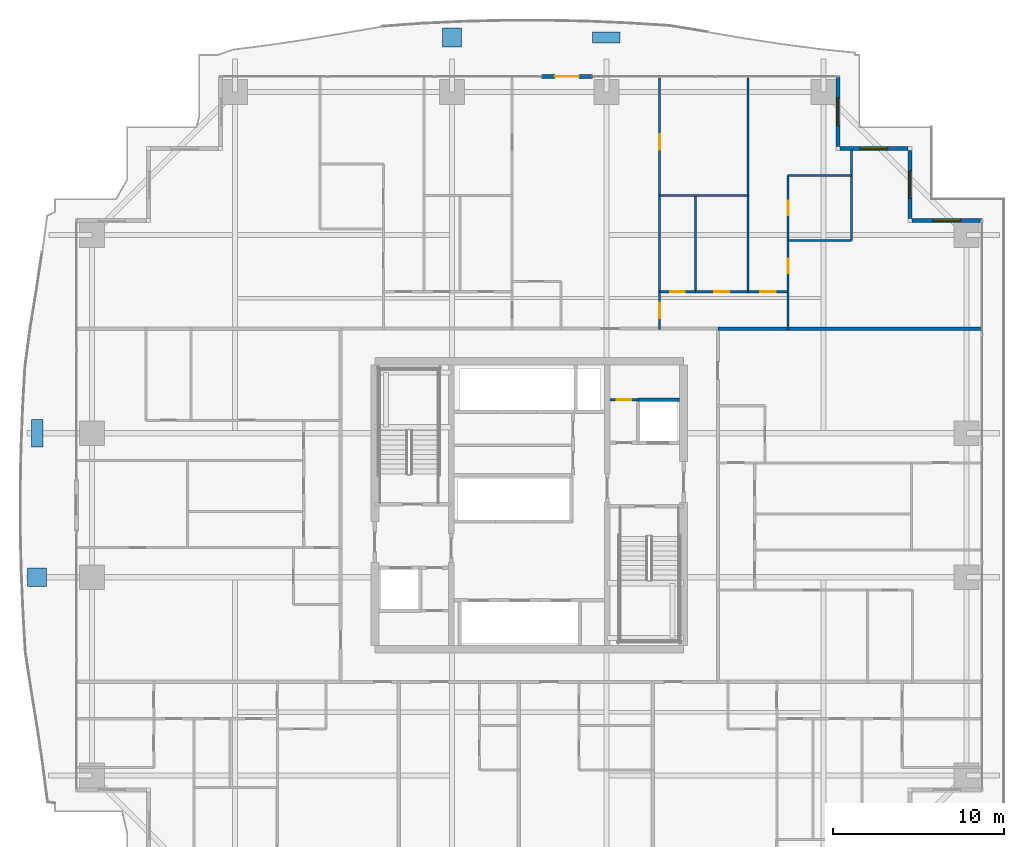
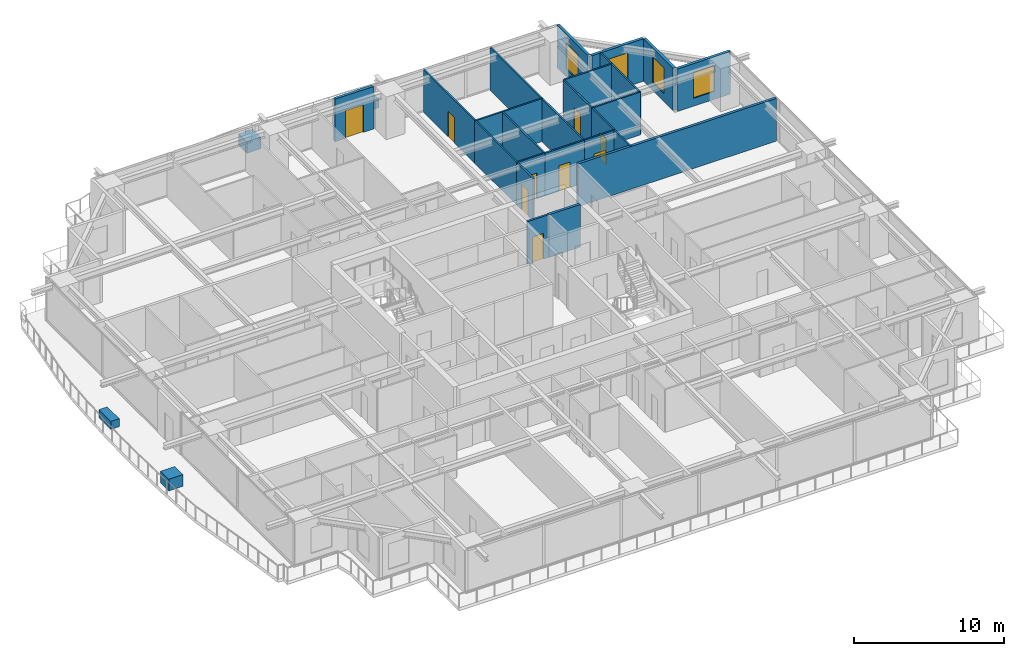
# One storey, part 28 of 35: 23 walls, 9 doors, 4 discrete accessories, 4 windows, 13 openings.
"""IFC4 building model written with IfcOpenShell, lengths in metres."""

from ifc_helpers import new_model, si_unit, direction, frame, frame_2d, origin, origin_2d, place, context, subcontext, project, spatial, rectangle, extrude, source, transform, mapped, material, layer, layer_set, type_object, element, fill, save


model = new_model("IFC4")

# Units and contexts
model_context = context("Model", 3, precision=1e-05, world=origin(), true_north=direction((0.0, 1.0)))
body_context = subcontext(model_context, "Body", "Model", "MODEL_VIEW")
ifc_project = project(units=[si_unit("LENGTHUNIT", "METRE"), si_unit("AREAUNIT", "SQUARE_METRE"), si_unit("VOLUMEUNIT", "CUBIC_METRE"), si_unit("PLANEANGLEUNIT", "RADIAN"), si_unit("MASSUNIT", "GRAM", prefix="KILO")], contexts=[model_context])

# Site, building, storey
site_placement = place(None, origin())
site = spatial("IfcSite", under=ifc_project, at=site_placement, CompositionType="ELEMENT")
building_placement = place(site_placement, origin())
building = spatial("IfcBuilding", under=site, at=building_placement, Name="Serunith Strait Residences", CompositionType="ELEMENT")
storey_placement = place(building_placement, frame((0.0, 0.0, 56.699951171875)))
storey = spatial("IfcBuildingStorey", under=building, at=storey_placement, Name="L13", CompositionType="ELEMENT", Elevation=56.699951171875)

# Wall, opening, window
ifc_material_1 = material(Name="Pale-Champagne Aluminium Insulated Panel", Category="aluminium")
ifc_layer_1 = layer(ifc_material_1, 0.219970703125, Name="Pale-Champagne Aluminium Insulated Panel")
ifc_layer_set_1 = layer_set([ifc_layer_1], Name="Pale-Champagne Aluminium Insulated Panel")
wall_type_1 = type_object("IfcWallType", Name="EW-ALUM-220", PredefinedType="ELEMENTEDWALL", material=ifc_layer_set_1)
wall_1_placement = place(storey_placement, frame((58.800048828125, 41.800048828125, 0.0), z_axis=(0.0, 0.0, 1.0), x_axis=(-1.0, 0.0, 0.0)))
wall_1 = element("IfcWall", 1, at=wall_1_placement, inside=storey, type_object=wall_type_1, Name="L13 Girih Serrated Corner Wall 07", PredefinedType="ELEMENTEDWALL", context=body_context, shape_type="SweptSolid", body=[
    extrude(rectangle(XDim=4.090087890625, YDim=0.219970703125, at=frame_2d((2.044921875, 0.0))), origin(), (0.0, 0.0, 1.0), 3.47509765625),
])
opening_1_placement = place(wall_1_placement, frame((1.2451171875, 0.0, 0.64990234375)))
opening_1 = element("IfcOpeningElement", 2, at=opening_1_placement, cuts=wall_1, Name="Opening W-02", PredefinedType="OPENING", context=body_context, shape_type="SweptSolid", body=[
    extrude(rectangle(XDim=1.60009765625, YDim=2.10009765625, at=frame_2d((0.800048828125, 1.050048828125))), frame((0.0, 0.1201171875, 0.0), z_axis=(0.0, -1.0, 0.0), x_axis=(1.0, 0.0, 0.0)), (0.0, 0.0, 1.0), 0.239990234375),
])
ifc_material_2 = material(Name="Ceramic-Fritted Operable Aluminium Window Glass", Category="aluminium")
window_type = type_object("IfcWindowType", Name="WIN-C2", PartitioningType="DOUBLE_PANEL_VERTICAL", PredefinedType="WINDOW", material=ifc_material_2)
shared_shape_1 = source(origin(), body_context, "Body", "SweptSolid", [
    extrude(rectangle(XDim=1.60009765625, YDim=2.10009765625, at=frame_2d((0.800048828125, 1.050048828125))), frame((0.0, 0.030029296875, 0.0), z_axis=(0.0, -1.0, 0.0), x_axis=(1.0, 0.0, 0.0)), (0.0, 0.0, 1.0), 0.06005859375),
])
window_1_placement = place(opening_1_placement, origin())
window_1 = element("IfcWindow", 3, at=window_1_placement, inside=storey, type_object=window_type, Name="L13 Corner Operable Fritted Window 07", OverallHeight=2.10009765625, OverallWidth=1.60009765625, PartitioningType="SINGLE_PANEL", PredefinedType="WINDOW", context=body_context, shape_type="MappedRepresentation", body=[
    mapped(shared_shape_1, transform((0.0, 0.0, 0.0), scale=1.0)),
])
fill(opening_1, window_1)

wall_2_placement = place(storey_placement, frame((54.60009765625, 41.909912109375, 0.0), z_axis=(0.0, 0.0, 1.0), x_axis=(0.0, 1.0, 0.0)))
wall_2 = element("IfcWall", 4, at=wall_2_placement, inside=storey, type_object=wall_type_1, Name="L13 Girih Serrated Corner Wall 08", PredefinedType="ELEMENTEDWALL", context=body_context, shape_type="SweptSolid", body=[
    extrude(rectangle(XDim=3.97998046875, YDim=0.219970703125, at=frame_2d((1.989990234375, 0.0))), origin(), (0.0, 0.0, 1.0), 3.47509765625),
])
opening_2_placement = place(wall_2_placement, frame((1.18994140625, 0.0, 0.64990234375)))
opening_2 = element("IfcOpeningElement", 5, at=opening_2_placement, cuts=wall_2, Name="Opening W-02", PredefinedType="OPENING", context=body_context, shape_type="SweptSolid", body=[
    extrude(rectangle(XDim=1.60009765625, YDim=2.10009765625, at=frame_2d((0.800048828125, 1.050048828125))), frame((0.0, 0.1201171875, 0.0), z_axis=(0.0, -1.0, 0.0), x_axis=(1.0, 0.0, 0.0)), (0.0, 0.0, 1.0), 0.239990234375),
])
window_2_placement = place(opening_2_placement, origin())
window_2 = element("IfcWindow", 6, at=window_2_placement, inside=storey, type_object=window_type, Name="L13 Corner Operable Fritted Window 08", OverallHeight=2.10009765625, OverallWidth=1.60009765625, PartitioningType="SINGLE_PANEL", PredefinedType="WINDOW", context=body_context, shape_type="MappedRepresentation", body=[
    mapped(shared_shape_1, transform((0.0, 0.0, 0.0), scale=1.0)),
])
fill(opening_2, window_2)

wall_3_placement = place(storey_placement, frame((54.489990234375, 46.0, 0.0), z_axis=(0.0, 0.0, 1.0), x_axis=(-1.0, 0.0, 0.0)))
wall_3 = element("IfcWall", 7, at=wall_3_placement, inside=storey, type_object=wall_type_1, Name="L13 Girih Serrated Corner Wall 09", PredefinedType="ELEMENTEDWALL", context=body_context, shape_type="SweptSolid", body=[
    extrude(rectangle(XDim=3.97998046875, YDim=0.219970703125, at=frame_2d((1.989990234375, 0.0))), origin(), (0.0, 0.0, 1.0), 3.47509765625),
])
opening_3_placement = place(wall_3_placement, frame((1.18994140625, 0.0, 0.64990234375)))
opening_3 = element("IfcOpeningElement", 8, at=opening_3_placement, cuts=wall_3, Name="Opening W-02", PredefinedType="OPENING", context=body_context, shape_type="SweptSolid", body=[
    extrude(rectangle(XDim=1.60009765625, YDim=2.10009765625, at=frame_2d((0.800048828125, 1.050048828125))), frame((0.0, 0.1201171875, 0.0), z_axis=(0.0, -1.0, 0.0), x_axis=(1.0, 0.0, 0.0)), (0.0, 0.0, 1.0), 0.239990234375),
])
window_3_placement = place(opening_3_placement, origin())
window_3 = element("IfcWindow", 9, at=window_3_placement, inside=storey, type_object=window_type, Name="L13 Corner Operable Fritted Window 09", OverallHeight=2.10009765625, OverallWidth=1.60009765625, PartitioningType="SINGLE_PANEL", PredefinedType="WINDOW", context=body_context, shape_type="MappedRepresentation", body=[
    mapped(shared_shape_1, transform((0.0, 0.0, 0.0), scale=1.0)),
])
fill(opening_3, window_3)

wall_4_placement = place(storey_placement, frame((50.39990234375, 46.110107421875, 0.0), z_axis=(0.0, 0.0, 1.0), x_axis=(0.0, 1.0, 0.0)))
wall_4 = element("IfcWall", 10, at=wall_4_placement, inside=storey, type_object=wall_type_1, Name="L13 Girih Serrated Corner Wall 10", PredefinedType="ELEMENTEDWALL", context=body_context, shape_type="SweptSolid", body=[
    extrude(rectangle(XDim=4.08984375, YDim=0.219970703125, at=frame_2d((2.044921875, 0.0))), origin(), (0.0, 0.0, 1.0), 3.47509765625),
])
opening_4_placement = place(wall_4_placement, frame((1.2451171875, 0.0, 0.64990234375)))
opening_4 = element("IfcOpeningElement", 11, at=opening_4_placement, cuts=wall_4, Name="Opening W-02", PredefinedType="OPENING", context=body_context, shape_type="SweptSolid", body=[
    extrude(rectangle(XDim=1.60009765625, YDim=2.10009765625, at=frame_2d((0.800048828125, 1.050048828125))), frame((0.0, 0.1201171875, 0.0), z_axis=(0.0, -1.0, 0.0), x_axis=(1.0, 0.0, 0.0)), (0.0, 0.0, 1.0), 0.239990234375),
])
window_4_placement = place(opening_4_placement, origin())
window_4 = element("IfcWindow", 12, at=window_4_placement, inside=storey, type_object=window_type, Name="L13 Corner Operable Fritted Window 10", OverallHeight=2.10009765625, OverallWidth=1.60009765625, PartitioningType="SINGLE_PANEL", PredefinedType="WINDOW", context=body_context, shape_type="MappedRepresentation", body=[
    mapped(shared_shape_1, transform((0.0, 0.0, 0.0), scale=1.0)),
])
fill(opening_4, window_4)

# Wall, opening, door
wall_5_placement = place(storey_placement, frame((36.10009765625, 50.199951171875, 0.0), z_axis=(0.0, 0.0, 1.0), x_axis=(-1.0, 0.0, 0.0)))
wall_5 = element("IfcWall", 13, at=wall_5_placement, inside=storey, type_object=wall_type_1, Name="L13 N Facade Pier Wall", PredefinedType="ELEMENTEDWALL", context=body_context, shape_type="SweptSolid", body=[
    extrude(rectangle(XDim=3.0, YDim=0.219970703125, at=frame_2d((1.5, 0.0))), origin(), (0.0, 0.0, 1.0), 3.47509765625),
])
opening_5_placement = place(wall_5_placement, frame((0.800048828125, 0.0, 0.0)))
opening_5 = element("IfcOpeningElement", 14, at=opening_5_placement, cuts=wall_5, Name="Opening ED-04", PredefinedType="OPENING", context=body_context, shape_type="SweptSolid", body=[
    extrude(rectangle(XDim=1.39990234375, YDim=2.25, at=frame_2d((0.699951171875, 1.125))), frame((0.0, 0.1201171875, 0.0), z_axis=(0.0, -1.0, 0.0), x_axis=(1.0, 0.0, 0.0)), (0.0, 0.0, 1.0), 0.239990234375),
])
ifc_material_3 = material(Name="Thermally-Broken Aluminium Sliding Balcony Door", Category="aluminium")
door_type_1 = type_object("IfcDoorType", Name="ED-BALC-1400", OperationType="NOTDEFINED", PredefinedType="DOOR", material=ifc_material_3)
shared_shape_2 = source(origin(), body_context, "Body", "SweptSolid", [
    extrude(rectangle(XDim=1.39990234375, YDim=2.25, at=frame_2d((0.699951171875, 1.125))), frame((0.0, 0.02490234375, 0.0), z_axis=(0.0, -1.0, 0.0), x_axis=(1.0, 0.0, 0.0)), (0.0, 0.0, 1.0), 0.050048828125),
])
door_1_placement = place(opening_5_placement, origin())
door_1 = element("IfcDoor", 15, at=door_1_placement, inside=storey, type_object=door_type_1, Name="L13 N Vertical-Forest Balcony Door", OperationType="SLIDING_TO_LEFT", OverallHeight=2.25, OverallWidth=1.39990234375, PredefinedType="DOOR", context=body_context, shape_type="MappedRepresentation", body=[
    mapped(shared_shape_2, transform((0.0, 0.0, 0.0), scale=1.0)),
])
fill(opening_5, door_1)

ifc_material_4 = material(Name="Fire-rated masonry service closet wall", Category="masonry")
ifc_layer_2 = layer(ifc_material_4, 0.14990234375, Name="Fire-rated masonry service closet wall")
ifc_layer_set_2 = layer_set([ifc_layer_2], Name="Fire-rated masonry service closet wall")
wall_type_2 = type_object("IfcWallType", Name="IW-BOH-150", PredefinedType="PARTITIONING", material=ifc_layer_set_2)
wall_6_placement = place(storey_placement, frame((37.10009765625, 31.35009765625, 0.0), z_axis=(0.0, 0.0, 1.0), x_axis=(1.0, 0.0, 0.0)))
wall_6 = element("IfcWall", 16, at=wall_6_placement, inside=storey, type_object=wall_type_2, Name="L13 Partition Wall 013", PredefinedType="PARTITIONING", context=body_context, shape_type="SweptSolid", body=[
    extrude(rectangle(XDim=1.64794921875, YDim=0.14990234375, at=frame_2d((0.823974609375, 0.0))), origin(), (0.0, 0.0, 1.0), 3.489990234375),
])
opening_6_placement = place(wall_6_placement, frame((0.39892578125, 0.0, 0.0)))
opening_6 = element("IfcOpeningElement", 17, at=opening_6_placement, cuts=wall_6, Name="Opening FD-850", PredefinedType="OPENING", context=body_context, shape_type="SweptSolid", body=[
    extrude(rectangle(XDim=0.85009765625, YDim=2.10009765625, at=frame_2d((0.425048828125, 1.050048828125))), frame((0.0, 0.0849609375, 0.0), z_axis=(0.0, -1.0, 0.0), x_axis=(1.0, 0.0, 0.0)), (0.0, 0.0, 1.0), 0.169921875),
])
ifc_material_5 = material(Name="Powder-coated steel service closet door", Category="steel")
door_type_2 = type_object("IfcDoorType", Name="FD-BOH-850", OperationType="NOTDEFINED", PredefinedType="DOOR", material=ifc_material_5)
shared_shape_3 = source(origin(), body_context, "Body", "SweptSolid", [
    extrude(rectangle(XDim=0.85009765625, YDim=2.10009765625, at=frame_2d((0.425048828125, 1.050048828125))), frame((0.0, 0.02490234375, 0.0), z_axis=(0.0, -1.0, 0.0), x_axis=(1.0, 0.0, 0.0)), (0.0, 0.0, 1.0), 0.050048828125),
])
door_2_placement = place(opening_6_placement, origin())
door_2 = element("IfcDoor", 18, at=door_2_placement, inside=storey, type_object=door_type_2, Name="L13 Refuse Store Door", OperationType="SINGLE_SWING_RIGHT", OverallHeight=2.10009765625, OverallWidth=0.85009765625, PredefinedType="DOOR", context=body_context, shape_type="MappedRepresentation", body=[
    mapped(shared_shape_3, transform((0.0, 0.0, 0.0), scale=1.0)),
])
fill(opening_6, door_2)

ifc_material_6 = material(Name="Lightweight steel-stud gypsum partition", Category="steel")
ifc_layer_3 = layer(ifc_material_6, 0.1201171875, Name="Lightweight steel-stud gypsum partition")
ifc_layer_set_3 = layer_set([ifc_layer_3], Name="Lightweight steel-stud gypsum partition")
wall_type_3 = type_object("IfcWallType", Name="IW-PART-120", PredefinedType="PARTITIONING", material=ifc_layer_set_3)
wall_7_placement = place(storey_placement, frame((40.0, 37.64990234375, 0.0), z_axis=(0.0, 0.0, 1.0), x_axis=(0.0, -1.0, 0.0)))
wall_7 = element("IfcWall", 19, at=wall_7_placement, inside=storey, type_object=wall_type_3, Name="L13 Partition Wall 083", PredefinedType="PARTITIONING", context=body_context, shape_type="SweptSolid", body=[
    extrude(rectangle(XDim=2.2099609375, YDim=0.1201171875, at=frame_2d((1.10498046875, 0.0))), origin(), (0.0, 0.0, 1.0), 3.489990234375),
])
opening_7_placement = place(wall_7_placement, frame((0.655029296875, 0.0, 0.0)))
opening_7 = element("IfcOpeningElement", 20, at=opening_7_placement, cuts=wall_7, Name="Opening D-RM900", PredefinedType="OPENING", context=body_context, shape_type="SweptSolid", body=[
    extrude(rectangle(XDim=0.89990234375, YDim=2.10009765625, at=frame_2d((0.449951171875, 1.050048828125))), frame((0.0, 0.070068359375, 0.0), z_axis=(0.0, -1.0, 0.0), x_axis=(1.0, 0.0, 0.0)), (0.0, 0.0, 1.0), 0.14013671875),
])
ifc_material_7 = material(Name="Engineered timber flush bedroom door", Category="wood")
door_type_3 = type_object("IfcDoorType", Name="ID-ROOM-900", OperationType="NOTDEFINED", PredefinedType="DOOR", material=ifc_material_7)
shared_shape_4 = source(origin(), body_context, "Body", "SweptSolid", [
    extrude(rectangle(XDim=0.89990234375, YDim=2.10009765625, at=frame_2d((0.449951171875, 1.050048828125))), frame((0.0, 0.02490234375, 0.0), z_axis=(0.0, -1.0, 0.0), x_axis=(1.0, 0.0, 0.0)), (0.0, 0.0, 1.0), 0.050048828125),
])
door_3_placement = place(opening_7_placement, origin())
door_3 = element("IfcDoor", 21, at=door_3_placement, inside=storey, type_object=door_type_3, Name="L13 Hall E 1305 Door", OperationType="SINGLE_SWING_RIGHT", OverallHeight=2.10009765625, OverallWidth=0.89990234375, PredefinedType="DOOR", context=body_context, shape_type="MappedRepresentation", body=[
    mapped(shared_shape_4, transform((0.0, 0.0, 0.0), scale=1.0)),
])
fill(opening_7, door_3)

wall_8_placement = place(storey_placement, frame((40.0, 50.10498046875, 0.0), z_axis=(0.0, 0.0, 1.0), x_axis=(0.0, -1.0, 0.0)))
wall_8 = element("IfcWall", 22, at=wall_8_placement, inside=storey, type_object=wall_type_3, Name="L13 Partition Wall 084", PredefinedType="PARTITIONING", context=body_context, shape_type="SweptSolid", body=[
    extrude(rectangle(XDim=6.85107421875, YDim=0.1201171875, at=frame_2d((3.425537109375, 0.0))), origin(), (0.0, 0.0, 1.0), 3.489990234375),
])
opening_8_placement = place(wall_8_placement, frame((3.27294921875, 0.0, 0.0)))
opening_8 = element("IfcOpeningElement", 23, at=opening_8_placement, cuts=wall_8, Name="Opening D-RM900", PredefinedType="OPENING", context=body_context, shape_type="SweptSolid", body=[
    extrude(rectangle(XDim=0.89990234375, YDim=2.10009765625, at=frame_2d((0.449951171875, 1.050048828125))), frame((0.0, 0.070068359375, 0.0), z_axis=(0.0, -1.0, 0.0), x_axis=(1.0, 0.0, 0.0)), (0.0, 0.0, 1.0), 0.14013671875),
])
door_4_placement = place(opening_8_placement, origin())
door_4 = element("IfcDoor", 24, at=door_4_placement, inside=storey, type_object=door_type_3, Name="L13 Formal Dining Room 3 1305 Door", OperationType="SINGLE_SWING_LEFT", OverallHeight=2.10009765625, OverallWidth=0.89990234375, PredefinedType="DOOR", context=body_context, shape_type="MappedRepresentation", body=[
    mapped(shared_shape_4, transform((0.0, 0.0, 0.0), scale=1.0)),
])
fill(opening_8, door_4)

# Walls
wall_9_placement = place(storey_placement, frame((40.0, 43.251953125, 0.0), z_axis=(0.0, 0.0, 1.0), x_axis=(0.0, -1.0, 0.0)))
element("IfcWall", 25, at=wall_9_placement, inside=storey, type_object=wall_type_3, Name="L13 Partition Wall 085", PredefinedType="PARTITIONING", context=body_context, shape_type="SweptSolid", body=[
    extrude(rectangle(XDim=5.599853515625, YDim=0.1201171875, at=frame_2d((2.7998046875, 0.0))), origin(), (0.0, 0.0, 1.0), 3.489990234375),
])
wall_10_placement = place(storey_placement, frame((40.0, 43.25390625, 0.0), z_axis=(0.0, 0.0, 1.0), x_axis=(1.0, 0.0, 0.0)))
element("IfcWall", 26, at=wall_10_placement, inside=storey, type_object=wall_type_3, Name="L13 Partition Wall 086", PredefinedType="PARTITIONING", context=body_context, shape_type="SweptSolid", body=[
    extrude(rectangle(XDim=5.14990234375, YDim=0.1201171875, at=frame_2d((2.574951171875, 0.0))), origin(), (0.0, 0.0, 1.0), 3.489990234375),
])
wall_11_placement = place(storey_placement, frame((45.14990234375, 50.10498046875, 0.0), z_axis=(0.0, 0.0, 1.0), x_axis=(0.0, -1.0, 0.0)))
element("IfcWall", 27, at=wall_11_placement, inside=storey, type_object=wall_type_3, Name="L13 Partition Wall 087", PredefinedType="PARTITIONING", context=body_context, shape_type="SweptSolid", body=[
    extrude(rectangle(XDim=12.455078125, YDim=0.1201171875, at=frame_2d((6.2275390625, 0.0))), origin(), (0.0, 0.0, 1.0), 3.489990234375),
])
wall_12_placement = place(storey_placement, frame((42.10009765625, 43.25390625, 0.0), z_axis=(0.0, 0.0, 1.0), x_axis=(0.0, -1.0, 0.0)))
element("IfcWall", 28, at=wall_12_placement, inside=storey, type_object=wall_type_3, Name="L13 Partition Wall 088", PredefinedType="PARTITIONING", context=body_context, shape_type="SweptSolid", body=[
    extrude(rectangle(XDim=5.60400390625, YDim=0.1201171875, at=frame_2d((2.802001953125, 0.0))), origin(), (0.0, 0.0, 1.0), 3.489990234375),
])

# Wall, opening, door
wall_13_placement = place(storey_placement, frame((40.0, 37.64990234375, 0.0), z_axis=(0.0, 0.0, 1.0), x_axis=(1.0, 0.0, 0.0)))
wall_13 = element("IfcWall", 29, at=wall_13_placement, inside=storey, type_object=wall_type_3, Name="L13 Partition Wall 089", PredefinedType="PARTITIONING", context=body_context, shape_type="SweptSolid", body=[
    extrude(rectangle(XDim=2.10009765625, YDim=0.1201171875, at=frame_2d((1.050048828125, 0.0))), origin(), (0.0, 0.0, 1.0), 3.489990234375),
])
opening_9_placement = place(wall_13_placement, frame((0.625, 0.0, 0.0)))
opening_9 = element("IfcOpeningElement", 30, at=opening_9_placement, cuts=wall_13, Name="Opening D-RM850", PredefinedType="OPENING", context=body_context, shape_type="SweptSolid", body=[
    extrude(rectangle(XDim=0.85009765625, YDim=2.10009765625, at=frame_2d((0.425048828125, 1.050048828125))), frame((0.0, 0.070068359375, 0.0), z_axis=(0.0, -1.0, 0.0), x_axis=(1.0, 0.0, 0.0)), (0.0, 0.0, 1.0), 0.14013671875),
])
ifc_material_8 = material(Name="Engineered timber flush study and kitchen door", Category="wood")
door_type_4 = type_object("IfcDoorType", Name="ID-ROOM-850", OperationType="NOTDEFINED", PredefinedType="DOOR", material=ifc_material_8)
door_5_placement = place(opening_9_placement, origin())
door_5 = element("IfcDoor", 31, at=door_5_placement, inside=storey, type_object=door_type_4, Name="L13 Study 1305 Door", OperationType="SINGLE_SWING_RIGHT", OverallHeight=2.10009765625, OverallWidth=0.85009765625, PredefinedType="DOOR", context=body_context, shape_type="MappedRepresentation", body=[
    mapped(shared_shape_3, transform((0.0, 0.0, 0.0), scale=1.0)),
])
fill(opening_9, door_5)

wall_14_placement = place(storey_placement, frame((42.10205078125, 37.64990234375, 0.0), z_axis=(0.0, 0.0, 1.0), x_axis=(1.0, 0.0, 0.0)))
wall_14 = element("IfcWall", 32, at=wall_14_placement, inside=storey, type_object=wall_type_3, Name="L13 Partition Wall 090", PredefinedType="PARTITIONING", context=body_context, shape_type="SweptSolid", body=[
    extrude(rectangle(XDim=3.0478515625, YDim=0.1201171875, at=frame_2d((1.52392578125, 0.0))), origin(), (0.0, 0.0, 1.0), 3.489990234375),
])
opening_10_placement = place(wall_14_placement, frame((1.09912109375, 0.0, 0.0)))
opening_10 = element("IfcOpeningElement", 33, at=opening_10_placement, cuts=wall_14, Name="Opening D-RM850", PredefinedType="OPENING", context=body_context, shape_type="SweptSolid", body=[
    extrude(rectangle(XDim=0.85009765625, YDim=2.10009765625, at=frame_2d((0.425048828125, 1.050048828125))), frame((0.0, 0.070068359375, 0.0), z_axis=(0.0, -1.0, 0.0), x_axis=(1.0, 0.0, 0.0)), (0.0, 0.0, 1.0), 0.14013671875),
])
door_6_placement = place(opening_10_placement, origin())
door_6 = element("IfcDoor", 34, at=door_6_placement, inside=storey, type_object=door_type_4, Name="L13 Formal Dining Room 1305 Door", OperationType="SINGLE_SWING_LEFT", OverallHeight=2.10009765625, OverallWidth=0.85009765625, PredefinedType="DOOR", context=body_context, shape_type="MappedRepresentation", body=[
    mapped(shared_shape_3, transform((0.0, 0.0, 0.0), scale=1.0)),
])
fill(opening_10, door_6)

wall_15_placement = place(storey_placement, frame((45.152099609375, 37.64990234375, 0.0), z_axis=(0.0, 0.0, 1.0), x_axis=(1.0, 0.0, 0.0)))
wall_15 = element("IfcWall", 35, at=wall_15_placement, inside=storey, type_object=wall_type_3, Name="L13 Partition Wall 091", PredefinedType="PARTITIONING", context=body_context, shape_type="SweptSolid", body=[
    extrude(rectangle(XDim=2.347900390625, YDim=0.1201171875, at=frame_2d((1.173828125, 0.0))), origin(), (0.0, 0.0, 1.0), 3.489990234375),
])
opening_11_placement = place(wall_15_placement, frame((0.72412109375, 0.0, 0.0)))
opening_11 = element("IfcOpeningElement", 36, at=opening_11_placement, cuts=wall_15, Name="Opening D-RM900", PredefinedType="OPENING", context=body_context, shape_type="SweptSolid", body=[
    extrude(rectangle(XDim=0.89990234375, YDim=2.10009765625, at=frame_2d((0.449951171875, 1.050048828125))), frame((0.0, 0.070068359375, 0.0), z_axis=(0.0, -1.0, 0.0), x_axis=(1.0, 0.0, 0.0)), (0.0, 0.0, 1.0), 0.14013671875),
])
door_7_placement = place(opening_11_placement, origin())
door_7 = element("IfcDoor", 37, at=door_7_placement, inside=storey, type_object=door_type_3, Name="L13 Master Bedroom E 1305 Door", OperationType="SINGLE_SWING_RIGHT", OverallHeight=2.10009765625, OverallWidth=0.89990234375, PredefinedType="DOOR", context=body_context, shape_type="MappedRepresentation", body=[
    mapped(shared_shape_4, transform((0.0, 0.0, 0.0), scale=1.0)),
])
fill(opening_11, door_7)

# Walls
wall_16_placement = place(storey_placement, frame((47.5, 44.422119140625, 0.0), z_axis=(0.0, 0.0, 1.0), x_axis=(1.0, 0.0, 0.0)))
element("IfcWall", 38, at=wall_16_placement, inside=storey, type_object=wall_type_3, Name="L13 Partition Wall 092", PredefinedType="PARTITIONING", context=body_context, shape_type="SweptSolid", body=[
    extrude(rectangle(XDim=3.699951171875, YDim=0.1201171875, at=frame_2d((1.85009765625, 0.0))), origin(), (0.0, 0.0, 1.0), 3.489990234375),
])
wall_17_placement = place(storey_placement, frame((51.199951171875, 45.905029296875, 0.0), z_axis=(0.0, 0.0, 1.0), x_axis=(0.0, -1.0, 0.0)))
element("IfcWall", 39, at=wall_17_placement, inside=storey, type_object=wall_type_3, Name="L13 Partition Wall 093", PredefinedType="PARTITIONING", context=body_context, shape_type="SweptSolid", body=[
    extrude(rectangle(XDim=5.26708984375, YDim=0.1201171875, at=frame_2d((2.633544921875, 0.0))), origin(), (0.0, 0.0, 1.0), 3.489990234375),
])
wall_18_placement = place(storey_placement, frame((47.5, 40.637939453125, 0.0), z_axis=(0.0, 0.0, 1.0), x_axis=(1.0, 0.0, 0.0)))
element("IfcWall", 40, at=wall_18_placement, inside=storey, type_object=wall_type_3, Name="L13 Partition Wall 094", PredefinedType="PARTITIONING", context=body_context, shape_type="SweptSolid", body=[
    extrude(rectangle(XDim=3.699951171875, YDim=0.1201171875, at=frame_2d((1.85009765625, 0.0))), origin(), (0.0, 0.0, 1.0), 3.489990234375),
])

# Wall, opening, door
wall_19_placement = place(storey_placement, frame((47.5, 44.422119140625, 0.0), z_axis=(0.0, 0.0, 1.0), x_axis=(0.0, -1.0, 0.0)))
wall_19 = element("IfcWall", 41, at=wall_19_placement, inside=storey, type_object=wall_type_3, Name="L13 Partition Wall 095", PredefinedType="PARTITIONING", context=body_context, shape_type="SweptSolid", body=[
    extrude(rectangle(XDim=3.7841796875, YDim=0.1201171875, at=frame_2d((1.89208984375, 0.0))), origin(), (0.0, 0.0, 1.0), 3.489990234375),
])
opening_12_placement = place(wall_19_placement, frame((1.467041015625, 0.0, 0.0)))
opening_12 = element("IfcOpeningElement", 42, at=opening_12_placement, cuts=wall_19, Name="Opening D-BTH850", PredefinedType="OPENING", context=body_context, shape_type="SweptSolid", body=[
    extrude(rectangle(XDim=0.85009765625, YDim=2.10009765625, at=frame_2d((0.425048828125, 1.050048828125))), frame((0.0, 0.070068359375, 0.0), z_axis=(0.0, -1.0, 0.0), x_axis=(1.0, 0.0, 0.0)), (0.0, 0.0, 1.0), 0.14013671875),
])
ifc_material_9 = material(Name="Moisture-resistant timber bathroom door", Category="wood")
door_type_5 = type_object("IfcDoorType", Name="ID-BATH-850", OperationType="NOTDEFINED", PredefinedType="DOOR", material=ifc_material_9)
door_8_placement = place(opening_12_placement, origin())
door_8 = element("IfcDoor", 43, at=door_8_placement, inside=storey, type_object=door_type_5, Name="L13 En-suite Bathroom E 1305 Door", OperationType="SINGLE_SWING_LEFT", OverallHeight=2.10009765625, OverallWidth=0.85009765625, PredefinedType="DOOR", context=body_context, shape_type="MappedRepresentation", body=[
    mapped(shared_shape_3, transform((0.0, 0.0, 0.0), scale=1.0)),
])
fill(opening_12, door_8)

wall_20_placement = place(storey_placement, frame((47.5, 40.635986328125, 0.0), z_axis=(0.0, 0.0, 1.0), x_axis=(0.0, -1.0, 0.0)))
wall_20 = element("IfcWall", 44, at=wall_20_placement, inside=storey, type_object=wall_type_3, Name="L13 Partition Wall 096", PredefinedType="PARTITIONING", context=body_context, shape_type="SweptSolid", body=[
    extrude(rectangle(XDim=2.986083984375, YDim=0.1201171875, at=frame_2d((1.4931640625, 0.0))), origin(), (0.0, 0.0, 1.0), 3.489990234375),
])
opening_13_placement = place(wall_20_placement, frame((1.068115234375, 0.0, 0.0)))
opening_13 = element("IfcOpeningElement", 45, at=opening_13_placement, cuts=wall_20, Name="Opening D-RM850", PredefinedType="OPENING", context=body_context, shape_type="SweptSolid", body=[
    extrude(rectangle(XDim=0.85009765625, YDim=2.10009765625, at=frame_2d((0.425048828125, 1.050048828125))), frame((0.0, 0.070068359375, 0.0), z_axis=(0.0, -1.0, 0.0), x_axis=(1.0, 0.0, 0.0)), (0.0, 0.0, 1.0), 0.14013671875),
])
door_9_placement = place(opening_13_placement, origin())
door_9 = element("IfcDoor", 46, at=door_9_placement, inside=storey, type_object=door_type_4, Name="L13 Wardrobe E 1305 Door", OperationType="SINGLE_SWING_RIGHT", OverallHeight=2.10009765625, OverallWidth=0.85009765625, PredefinedType="DOOR", context=body_context, shape_type="MappedRepresentation", body=[
    mapped(shared_shape_3, transform((0.0, 0.0, 0.0), scale=1.0)),
])
fill(opening_13, door_9)

# Walls
wall_21_placement = place(storey_placement, frame((47.5, 37.64794921875, 0.0), z_axis=(0.0, 0.0, 1.0), x_axis=(0.0, -1.0, 0.0)))
element("IfcWall", 47, at=wall_21_placement, inside=storey, type_object=wall_type_3, Name="L13 Partition Wall 097", PredefinedType="PARTITIONING", context=body_context, shape_type="SweptSolid", body=[
    extrude(rectangle(XDim=2.2080078125, YDim=0.1201171875, at=frame_2d((1.10400390625, 0.0))), origin(), (0.0, 0.0, 1.0), 3.489990234375),
])
ifc_material_10 = material(Name="Twin-stud acoustic gypsum board partition")
ifc_layer_4 = layer(ifc_material_10, 0.199951171875, Name="Twin-stud acoustic gypsum board partition")
ifc_layer_set_4 = layer_set([ifc_layer_4], Name="Twin-stud acoustic gypsum board partition")
wall_type_4 = type_object("IfcWallType", Name="IW-PARTY-200", PredefinedType="PARTITIONING", material=ifc_layer_set_4)
wall_22_placement = place(storey_placement, frame((43.39990234375, 35.5, 0.0), z_axis=(0.0, 0.0, 1.0), x_axis=(1.0, 0.0, 0.0)))
element("IfcWall", 48, at=wall_22_placement, inside=storey, type_object=wall_type_4, Name="L13 Partition Wall 023", PredefinedType="PARTITIONING", context=body_context, shape_type="SweptSolid", body=[
    extrude(rectangle(XDim=15.318115234375, YDim=0.199951171875, at=frame_2d((7.6591796875, 0.0))), origin(), (0.0, 0.0, 1.0), 3.489990234375),
])
ifc_material_11 = material(Name="Autoclaved aerated concrete blockwork", Category="masonry")
ifc_layer_5 = layer(ifc_material_11, 0.199951171875, Name="Autoclaved aerated concrete blockwork")
ifc_layer_set_5 = layer_set([ifc_layer_5], Name="Autoclaved aerated concrete blockwork")
wall_type_5 = type_object("IfcWallType", Name="IW-SHAFT-200", PredefinedType="STANDARD", material=ifc_layer_set_5)
wall_23_placement = place(storey_placement, frame((38.75, 31.35009765625, 0.0), z_axis=(0.0, 0.0, 1.0), x_axis=(1.0, 0.0, 0.0)))
element("IfcWall", 49, at=wall_23_placement, inside=storey, type_object=wall_type_5, Name="L13 Partition Wall 005", PredefinedType="STANDARD", context=body_context, shape_type="SweptSolid", body=[
    extrude(rectangle(XDim=2.425048828125, YDim=0.199951171875, at=frame_2d((1.21240234375, 0.0))), origin(), (0.0, 0.0, 1.0), 3.489990234375),
])

# Discrete accessories
ifc_material_12 = material(Name="GFRC Root-Anchored Structural Planter")
discrete_accessory_type_1 = type_object("IfcDiscreteAccessoryType", Name="ACC-PLANTER-TREE", PredefinedType="USERDEFINED", material=ifc_material_12)
shared_shape_5 = source(origin(), body_context, "Body", "SweptSolid", [
    extrude(rectangle(XDim=1.10009765625, YDim=1.10009765625, at=origin_2d()), origin(), (0.0, 0.0, 1.0), 0.949951171875),
])
for number, where, z_axis, x_axis, name in (
    (50, (27.89990234375, 52.4775390625, -0.0498046875), (0.0, 0.0, 1.0), (-1.0, 0.0, 0.0), "L13 Vertical-Forest Tree Planter 06"),
    (51, (3.700927734375, 21.0, -0.0498046875), (0.0, 0.0, 1.0), (0.0, -1.0, 0.0), "L13 Vertical-Forest Tree Planter 14"),
):
    element("IfcDiscreteAccessory", number, at=place(storey_placement, frame(where, z_axis=z_axis, x_axis=x_axis)), inside=storey, type_object=discrete_accessory_type_1, Name=name, ObjectType="PLANTER", PredefinedType="USERDEFINED", context=body_context, shape_type="MappedRepresentation", body=[
        mapped(shared_shape_5, transform((0.0, 0.0, 0.0), scale=1.0)),
    ])
ifc_material_13 = material(Name="GFRC Irrigated Shrub Trough Planter")
discrete_accessory_type_2 = type_object("IfcDiscreteAccessoryType", Name="ACC-PLANTER-SHRUB", PredefinedType="USERDEFINED", material=ifc_material_13)
shared_shape_6 = source(origin(), body_context, "Body", "SweptSolid", [
    extrude(rectangle(XDim=1.60009765625, YDim=0.64990234375, at=origin_2d()), origin(), (0.0, 0.0, 1.0), 0.64990234375),
])
for number, where, z_axis, x_axis, name in (
    (52, (36.89990234375, 52.47021484375, -0.0498046875), (0.0, 0.0, 1.0), (-1.0, 0.0, 0.0), "L13 Vertical-Forest Shrub Planter 07"),
    (53, (3.70849609375, 29.39990234375, -0.0498046875), (0.0, 0.0, 1.0), (0.0, -1.0, 0.0), "L13 Vertical-Forest Shrub Planter 15"),
):
    element("IfcDiscreteAccessory", number, at=place(storey_placement, frame(where, z_axis=z_axis, x_axis=x_axis)), inside=storey, type_object=discrete_accessory_type_2, Name=name, ObjectType="PLANTER", PredefinedType="USERDEFINED", context=body_context, shape_type="MappedRepresentation", body=[
        mapped(shared_shape_6, transform((0.0, 0.0, 0.0), scale=1.0)),
    ])

save(model, "model.ifc")
